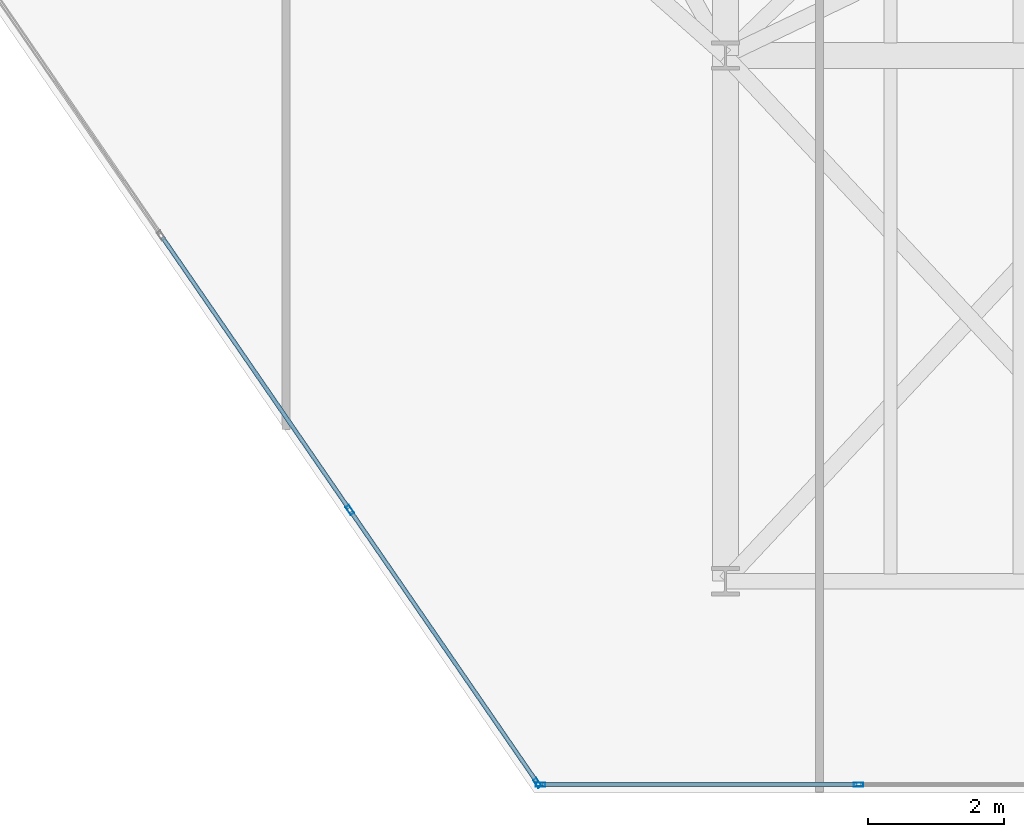
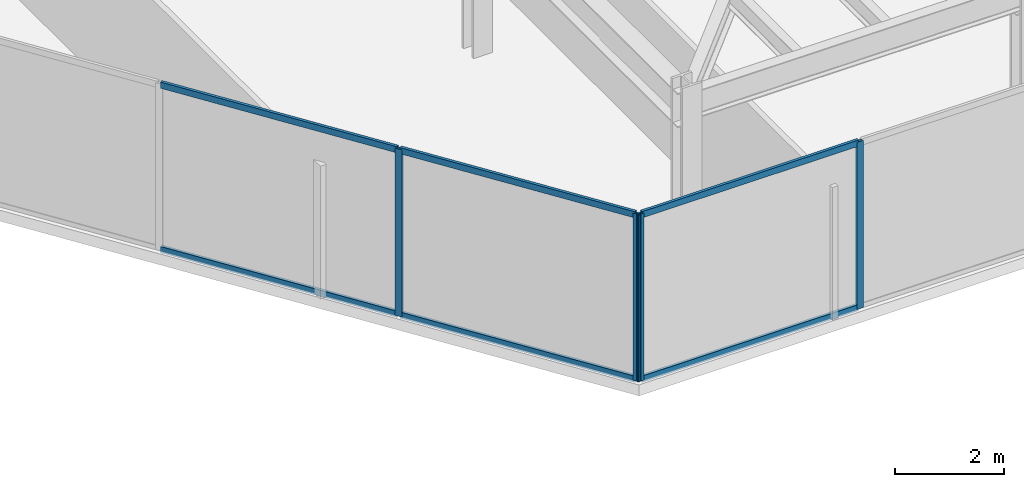
# One storey, part 16 of 27: 10 members, 2 elements without a shape of their own.
"""IFC4 building model written with IfcOpenShell, lengths in metres."""

import ifcopenshell
import ifcopenshell.guid

model = None  # the IFC model being written
_history = None  # IfcOwnerHistory: only IFC2X3 demands one
_inside = {}  # id of a spatial element -> (the spatial element, [elements in it])
_under = {}  # id of a project, library or spatial element -> (it, [spatial elements below it])
_declared = {}  # id of a project -> (the project, [libraries it declares])
_typed = {}  # id of a type object -> (the type object, [elements of that type])
_made_of = {}  # id of a material, layer set ... -> (it, [elements and type objects made of it])


def new_model(schema):
    """Start an empty IFC model of exactly this schema.

    Asked for "IFC4X3", IfcOpenShell would pick the latest addendum, in which some entities
    have other attributes; the version numbers below select the first issue.
    IFC2X3 requires an IfcOwnerHistory on every rooted entity: one is made here for all.
    """
    global model, _history
    if schema == "IFC4X3":
        model = ifcopenshell.file(schema_version=(4, 3, 0, 0))
    else:
        model = ifcopenshell.file(schema=schema)
    _inside.clear()
    _under.clear()
    _declared.clear()
    _typed.clear()
    _made_of.clear()
    _history = None
    if model.schema == "IFC2X3":
        org = make("IfcOrganization", Name="unknown")
        user = make(
            "IfcPersonAndOrganization",
            ThePerson=make("IfcPerson", FamilyName="unknown"),
            TheOrganization=org,
        )
        app = make(
            "IfcApplication",
            ApplicationDeveloper=org,
            Version="unknown",
            ApplicationFullName="unknown",
            ApplicationIdentifier="unknown",
        )
        _history = make(
            "IfcOwnerHistory",
            OwningUser=user,
            OwningApplication=app,
            ChangeAction="ADDED",
            CreationDate=0,
        )
    return model


def make(cls, **values):
    """One entity of the class cls with the attributes given. An attribute that is None is left unset."""
    return model.create_entity(
        cls, **{name: value for name, value in values.items() if value is not None}
    )


def rooted(cls, **values):
    """An entity with a GlobalId (a new one), such as an element, a storey or a relation."""
    return make(cls, GlobalId=ifcopenshell.guid.new(), OwnerHistory=_history, **values)


def si_unit(unit_type, name, prefix=None):
    """IfcSIUnit, for example si_unit("LENGTHUNIT", "METRE", prefix="MILLI")."""
    return make("IfcSIUnit", UnitType=unit_type, Prefix=prefix, Name=name)


def assignment(units):
    """IfcUnitAssignment: the units of a project."""
    return None if units is None else make("IfcUnitAssignment", Units=units)


def point(xyz):
    """IfcCartesianPoint."""
    return None if xyz is None else make("IfcCartesianPoint", Coordinates=xyz)


def direction(xyz):
    """IfcDirection."""
    return None if xyz is None else make("IfcDirection", DirectionRatios=xyz)


def frame(location, z_axis=None, x_axis=None):
    """IfcAxis2Placement3D, a coordinate frame: its origin and axes. An axis left out is left unset."""
    return make(
        "IfcAxis2Placement3D",
        Location=point(location),
        Axis=direction(z_axis),
        RefDirection=direction(x_axis),
    )


def frame_2d(location, x_axis=None):
    """IfcAxis2Placement2D, a coordinate frame in the plane: its origin and x axis."""
    return make(
        "IfcAxis2Placement2D", Location=point(location), RefDirection=direction(x_axis)
    )


def origin():
    """The frame at (0, 0, 0) with its axes left unset."""
    return frame((0.0, 0.0, 0.0))


def origin_2d():
    """The frame at (0, 0) in the plane with its x axis left unset."""
    return frame_2d((0.0, 0.0))


def place(relative_to, where):
    """IfcLocalPlacement: puts the frame where relative to a parent placement (None: the world)."""
    return make(
        "IfcLocalPlacement", PlacementRelTo=relative_to, RelativePlacement=where
    )


def context(
    kind, dimensions, precision=None, world=None, true_north=None, identifier=None
):
    """IfcGeometricRepresentationContext, for example the 3D "Model" context."""
    return make(
        "IfcGeometricRepresentationContext",
        ContextIdentifier=identifier,
        ContextType=kind,
        CoordinateSpaceDimension=dimensions,
        Precision=precision,
        WorldCoordinateSystem=world,
        TrueNorth=true_north,
    )


def subcontext(parent, identifier, kind, view, scale=None):
    """IfcGeometricRepresentationSubContext, for example "Body" below "Model"."""
    return make(
        "IfcGeometricRepresentationSubContext",
        ContextIdentifier=identifier,
        ContextType=kind,
        ParentContext=parent,
        TargetScale=scale,
        TargetView=view,
    )


def project(units=None, contexts=None):
    """IfcProject with its units and contexts."""
    return rooted(
        "IfcProject",
        Name="project",
        RepresentationContexts=contexts,
        UnitsInContext=assignment(units),
    )


def spatial(cls, under=None, at=None, **own):
    """A site, building, storey or space (cls), placed at a placement, below another one or the project."""
    s = rooted(cls, ObjectPlacement=at, **own)
    if under is not None:
        _under.setdefault(under.id(), (under, []))[1].append(s)
    return s


def profile(cls, at=None, kind="AREA", **sizes):
    """A parametric profile (cls). Its sizes go by their IFC names, for example OverallWidth=200.0."""
    return make(cls, ProfileType=kind, Position=at, **sizes)


def hollow_rectangle(**sizes):
    """IfcRectangleHollowProfileDef."""
    return profile("IfcRectangleHollowProfileDef", **sizes)


def extrude(swept, where, along, depth):
    """IfcExtrudedAreaSolid: the profile swept, set in the frame where, extruded along a direction by depth."""
    return make(
        "IfcExtrudedAreaSolid",
        SweptArea=swept,
        Position=where,
        ExtrudedDirection=direction(along),
        Depth=depth,
    )


def shape(context_of_items, identifier, shape_type, items):
    """IfcShapeRepresentation: the items that make up one representation, for example the "Body"."""
    return make(
        "IfcShapeRepresentation",
        ContextOfItems=context_of_items,
        RepresentationIdentifier=identifier,
        RepresentationType=shape_type,
        Items=items,
    )


def material(Name=None, Category=None):
    """IfcMaterial."""
    return make("IfcMaterial", Name=Name, Category=Category)


def layer(
    of_material, thickness, ventilated=None, Name=None, Category=None, Priority=None
):
    """IfcMaterialLayer: one layer of a wall or slab, of a material (None: an air gap)."""
    return make(
        "IfcMaterialLayer",
        Material=of_material,
        LayerThickness=thickness,
        IsVentilated=ventilated,
        Name=Name,
        Category=Category,
        Priority=Priority,
    )


def layer_set(layers, Name=None):
    """IfcMaterialLayerSet."""
    return make("IfcMaterialLayerSet", MaterialLayers=layers, LayerSetName=Name)


def material_profile(
    of_material, cross_section, Name=None, Category=None, Priority=None
):
    """IfcMaterialProfile: a cross section and its material."""
    return make(
        "IfcMaterialProfile",
        Name=Name,
        Material=of_material,
        Profile=cross_section,
        Priority=Priority,
        Category=Category,
    )


def profile_set(profiles, Name=None, composite=None):
    """IfcMaterialProfileSet."""
    return make(
        "IfcMaterialProfileSet",
        Name=Name,
        MaterialProfiles=profiles,
        CompositeProfile=composite,
    )


def made_of(thing, what):
    """Note that an element or type object is made of a material, layer set ...; save() writes the relation."""
    if what is not None:
        _made_of.setdefault(what.id(), (what, []))[1].append(thing)
    return thing


def type_object(cls, material=None, **own):
    """A type object (cls), such as IfcWallType, which elements share."""
    return made_of(rooted(cls, **own), material)


def element(
    cls,
    number,
    at=None,
    inside=None,
    cuts=None,
    type_object=None,
    material=None,
    context=None,
    identifier="Body",
    shape_type=None,
    held_by="IfcProductDefinitionShape",
    body=None,
    shapes=None,
    **own,
):
    """One element of the class cls, such as IfcWall. Its Tag is "e" and its number.

    at: its placement. inside: the storey or other place that contains it. cuts: it is an
    opening in that element (IfcRelVoidsElement). A single representation is given by context,
    identifier, shape_type and body (its items); several are given by shapes. held_by: the class
    of the entity that holds the representations. save() writes the other relations.
    """
    e = rooted(cls, Tag="e%d" % number, ObjectPlacement=at, **own)
    if body is not None:
        shapes = [shape(context, identifier, shape_type, body)]
    if shapes is not None:
        e.Representation = make(held_by, Representations=shapes)
    if inside is not None:
        _inside.setdefault(inside.id(), (inside, []))[1].append(e)
    if cuts is not None:
        rooted(
            "IfcRelVoidsElement", RelatingBuildingElement=cuts, RelatedOpeningElement=e
        )
    if type_object is not None:
        _typed.setdefault(type_object.id(), (type_object, []))[1].append(e)
    return made_of(e, material)


def aggregate(whole, parts):
    """IfcRelAggregates: a whole, such as a stair, and the parts it consists of."""
    return rooted("IfcRelAggregates", RelatingObject=whole, RelatedObjects=parts)


def save(model, path):
    """Write the relations noted so far, then the file.

    IfcRelAggregates (storeys below a building ...), IfcRelContainedInSpatialStructure (elements
    in a storey), IfcRelDefinesByType, IfcRelAssociatesMaterial and IfcRelDeclares: one each for
    every whole, place, type object, material and project.
    """
    for whole, parts in _under.values():
        aggregate(whole, parts)
    for where, things in _inside.values():
        rooted(
            "IfcRelContainedInSpatialStructure",
            RelatedElements=things,
            RelatingStructure=where,
        )
    for kind, things in _typed.values():
        rooted("IfcRelDefinesByType", RelatedObjects=things, RelatingType=kind)
    for what, things in _made_of.values():
        rooted("IfcRelAssociatesMaterial", RelatedObjects=things, RelatingMaterial=what)
    for by, libraries in _declared.values():
        rooted("IfcRelDeclares", RelatingContext=by, RelatedDefinitions=libraries)
    model.write(path)


model = new_model("IFC4")

# Units and contexts
model_context = context("Model", 3, precision=1e-05, world=origin(), true_north=direction((0.0, 1.0)))
body_context = subcontext(model_context, "Body", "Model", "MODEL_VIEW")
ifc_project = project(units=[si_unit("LENGTHUNIT", "METRE"), si_unit("AREAUNIT", "SQUARE_METRE"), si_unit("VOLUMEUNIT", "CUBIC_METRE"), si_unit("PLANEANGLEUNIT", "RADIAN"), si_unit("MASSUNIT", "GRAM", prefix="KILO")], contexts=[model_context])

# Site, building, storey
site_placement = place(None, origin())
site = spatial("IfcSite", under=ifc_project, at=site_placement, CompositionType="ELEMENT")
building_placement = place(site_placement, origin())
building = spatial("IfcBuilding", under=site, at=building_placement, Name="Kravanh Interchange Tower", CompositionType="ELEMENT")
storey_placement = place(building_placement, frame((0.0, 0.0, 188.5)))
storey = spatial("IfcBuildingStorey", under=building, at=storey_placement, Name="L45", CompositionType="ELEMENT", Elevation=188.5)

# Curtain wall, members
ifc_material_1 = material(Name="Anodised Bronze Aluminium", Category="aluminium")
ifc_layer = layer(ifc_material_1, 0.179931640625)
ifc_layer_set = layer_set([ifc_layer], Name="Unitised Curtain Wall System CW-Z3 Upper Office")
curtain_wall_type = type_object("IfcCurtainWallType", Name="Unitised Curtain Wall System CW-Z3 Upper Office", PredefinedType="NOTDEFINED", material=ifc_layer_set)
curtain_wall_1_placement = place(storey_placement, origin())
curtain_wall_1 = element("IfcCurtainWall", 1, at=curtain_wall_1_placement, inside=storey, type_object=curtain_wall_type, Name="L45 Unitised Curtain Wall CW-L45-03", PredefinedType="NOTDEFINED")
ifc_material_2 = material(Name="Anodised Bronze Aluminium", Category="aluminium")
ifc_material_profile_1 = material_profile(ifc_material_2, hollow_rectangle(XDim=0.06005859375, YDim=0.139892578125, WallThickness=0.00390625, at=origin_2d()), Name="ALU60X140X4")
ifc_profile_set_1 = profile_set([ifc_material_profile_1], Name="Anodised Bronze Aluminium")
member_type_1 = type_object("IfcMemberType", Name="Curtain Wall Mullion ALU60X140X4 Bronze", PredefinedType="MULLION", material=ifc_profile_set_1)
member_1_placement = place(storey_placement, frame((57.9521484375, 11.52001953125, 0.0), z_axis=(0.0, 0.0, 1.0), x_axis=(0.0, -1.0, 0.0)))
member_1 = element("IfcMember", 2, at=member_1_placement, type_object=member_type_1, Name="CW-Z3 mullion 2", PredefinedType="MULLION", context=body_context, shape_type="SweptSolid", body=[
    extrude(hollow_rectangle(XDim=0.06005859375, YDim=0.139892578125, WallThickness=0.00390625, at=origin_2d()), origin(), (0.0, 0.0, 1.0), 3.7548828125),
])
member_2_placement = place(storey_placement, frame((53.293212890625, 11.52001953125, 0.0), z_axis=(0.0, 0.0, 1.0), x_axis=(0.0, -1.0, 0.0)))
member_2 = element("IfcMember", 3, at=member_2_placement, type_object=member_type_1, Name="CW-Z3 mullion 3", PredefinedType="MULLION", context=body_context, shape_type="SweptSolid", body=[
    extrude(hollow_rectangle(XDim=0.06005859375, YDim=0.139892578125, WallThickness=0.00390625, at=origin_2d()), origin(), (0.0, 0.0, 1.0), 3.7548828125),
])

curtain_wall_2_placement = place(storey_placement, origin())
curtain_wall_2 = element("IfcCurtainWall", 4, at=curtain_wall_2_placement, inside=storey, type_object=curtain_wall_type, Name="L45 Unitised Curtain Wall CW-L45-04", PredefinedType="NOTDEFINED")
member_3_placement = place(storey_placement, frame((53.24609375, 11.544677734375, 0.0), z_axis=(0.0, 0.0, 1.0), x_axis=(-0.824042223035, -0.566528388217, 0.0)))
member_3 = element("IfcMember", 5, at=member_3_placement, type_object=member_type_1, Name="CW-Z3 mullion 1", PredefinedType="MULLION", context=body_context, shape_type="SweptSolid", body=[
    extrude(hollow_rectangle(XDim=0.06005859375, YDim=0.139892578125, WallThickness=0.00390625, at=origin_2d()), origin(), (0.0, 0.0, 1.0), 3.7548828125),
])
member_4_placement = place(storey_placement, frame((50.497314453125, 15.54296875, 0.0), z_axis=(0.0, 0.0, 1.0), x_axis=(-0.824042223035, -0.566528388217, 0.0)))
member_4 = element("IfcMember", 6, at=member_4_placement, type_object=member_type_1, Name="CW-Z3 mullion 2", PredefinedType="MULLION", context=body_context, shape_type="SweptSolid", body=[
    extrude(hollow_rectangle(XDim=0.06005859375, YDim=0.139892578125, WallThickness=0.00390625, at=origin_2d()), origin(), (0.0, 0.0, 1.0), 3.7548828125),
])

# Member
ifc_material_3 = material(Name="Anodised Bronze Aluminium", Category="aluminium")
ifc_material_profile_2 = material_profile(ifc_material_3, hollow_rectangle(XDim=0.06005859375, YDim=0.139892578125, WallThickness=0.00390625, at=origin_2d()), Name="ALU60X140X4")
ifc_profile_set_2 = profile_set([ifc_material_profile_2], Name="Anodised Bronze Aluminium")
member_type_2 = type_object("IfcMemberType", Name="Curtain Wall Transom ALU60X140X4 Bronze", PredefinedType="USERDEFINED", material=ifc_profile_set_2)
member_5_placement = place(storey_placement, frame((57.922119140625, 11.52001953125, 0.030029296875), z_axis=(-1.0, 0.0, 0.0), x_axis=(0.0, -1.0, 0.0)))
member_5 = element("IfcMember", 7, at=member_5_placement, type_object=member_type_2, Name="CW-Z3 transom 2.1", ObjectType="TRANSOM", PredefinedType="USERDEFINED", context=body_context, shape_type="SweptSolid", body=[
    extrude(hollow_rectangle(XDim=0.06005859375, YDim=0.139892578125, WallThickness=0.00390625, at=origin_2d()), origin(), (0.0, 0.0, 1.0), 4.59912109375),
])

member_6_placement = place(storey_placement, frame((57.922119140625, 11.52001953125, 3.72509765625), z_axis=(-1.0, 0.0, 0.0), x_axis=(0.0, -1.0, 0.0)))
member_6 = element("IfcMember", 8, at=member_6_placement, type_object=member_type_2, Name="CW-Z3 transom 2.2", ObjectType="TRANSOM", PredefinedType="USERDEFINED", context=body_context, shape_type="SweptSolid", body=[
    extrude(hollow_rectangle(XDim=0.06005859375, YDim=0.139892578125, WallThickness=0.00390625, at=origin_2d()), origin(), (0.0, 0.0, 1.0), 4.59912109375),
])

aggregate(curtain_wall_1, [member_1, member_2, member_5, member_6])

member_7_placement = place(storey_placement, frame((53.22900390625, 11.5693359375, 0.030029296875), z_axis=(-0.566483415384, 0.824073140016, 0.0), x_axis=(-0.824073140016, -0.566483415384, 0.0)))
member_7 = element("IfcMember", 9, at=member_7_placement, type_object=member_type_2, Name="CW-Z3 transom 1.1", ObjectType="TRANSOM", PredefinedType="USERDEFINED", context=body_context, shape_type="SweptSolid", body=[
    extrude(hollow_rectangle(XDim=0.06005859375, YDim=0.139892578125, WallThickness=0.00390625, at=origin_2d()), origin(), (0.0, 0.0, 1.0), 4.7919921875),
])

member_8_placement = place(storey_placement, frame((53.22900390625, 11.5693359375, 3.72509765625), z_axis=(-0.566483415384, 0.824073140016, 0.0), x_axis=(-0.824073140016, -0.566483415384, 0.0)))
member_8 = element("IfcMember", 10, at=member_8_placement, type_object=member_type_2, Name="CW-Z3 transom 1.2", ObjectType="TRANSOM", PredefinedType="USERDEFINED", context=body_context, shape_type="SweptSolid", body=[
    extrude(hollow_rectangle(XDim=0.06005859375, YDim=0.139892578125, WallThickness=0.00390625, at=origin_2d()), origin(), (0.0, 0.0, 1.0), 4.7919921875),
])

member_9_placement = place(storey_placement, frame((50.480224609375, 15.567626953125, 0.030029296875), z_axis=(-0.566503037389, 0.824059651135, 0.0), x_axis=(-0.824059651135, -0.566503037389, 0.0)))
member_9 = element("IfcMember", 11, at=member_9_placement, type_object=member_type_2, Name="CW-Z3 transom 2.1", ObjectType="TRANSOM", PredefinedType="USERDEFINED", context=body_context, shape_type="SweptSolid", body=[
    extrude(hollow_rectangle(XDim=0.06005859375, YDim=0.139892578125, WallThickness=0.00390625, at=origin_2d()), origin(), (0.0, 0.0, 1.0), 4.822021484375),
])

member_10_placement = place(storey_placement, frame((50.480224609375, 15.567626953125, 3.72509765625), z_axis=(-0.566503037389, 0.824059651135, 0.0), x_axis=(-0.824059651135, -0.566503037389, 0.0)))
member_10 = element("IfcMember", 12, at=member_10_placement, type_object=member_type_2, Name="CW-Z3 transom 2.2", ObjectType="TRANSOM", PredefinedType="USERDEFINED", context=body_context, shape_type="SweptSolid", body=[
    extrude(hollow_rectangle(XDim=0.06005859375, YDim=0.139892578125, WallThickness=0.00390625, at=origin_2d()), origin(), (0.0, 0.0, 1.0), 4.822021484375),
])

aggregate(curtain_wall_2, [member_3, member_4, member_7, member_8, member_9, member_10])

save(model, "model.ifc")
